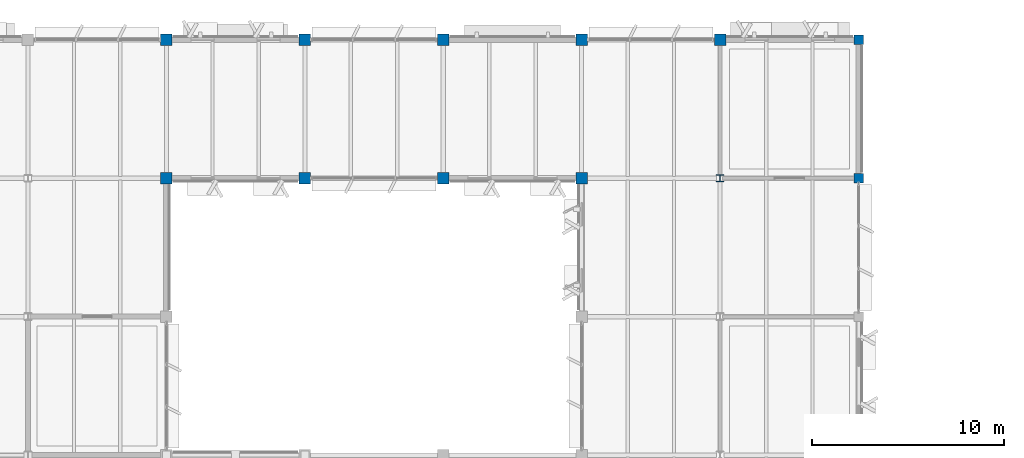
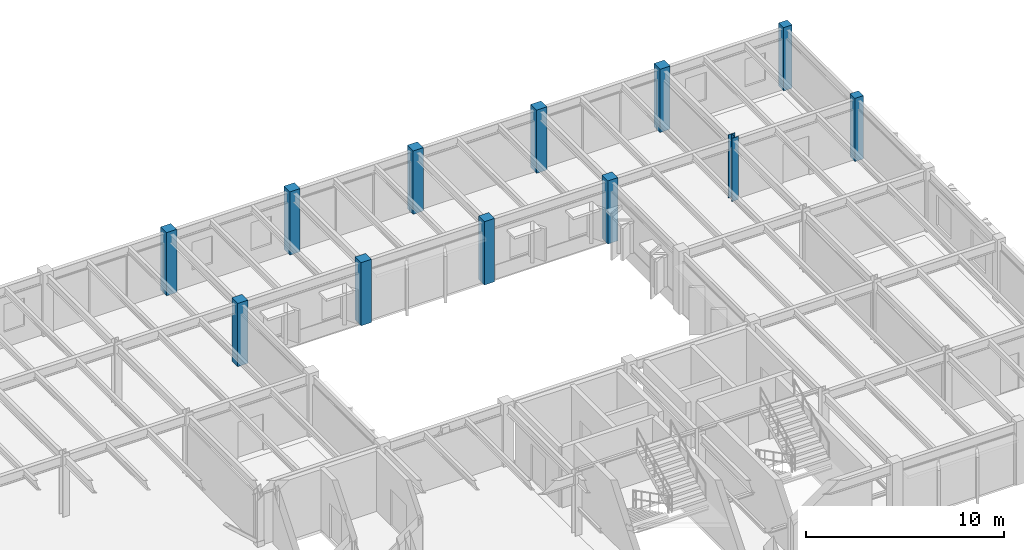
# One storey, part 12 of 82: 12 columns.
"""IFC4 building model written with IfcOpenShell, lengths in metres."""

from ifc_helpers import new_model, si_unit, direction, frame, origin, origin_2d, place, context, subcontext, project, spatial, rectangle, i_section, extrude, material, material_profile, profile_set, type_object, element, save


model = new_model("IFC4")

# Units and contexts
model_context = context("Model", 3, precision=1e-05, world=origin(), true_north=direction((0.0, 1.0)))
body_context = subcontext(model_context, "Body", "Model", "MODEL_VIEW")
ifc_project = project(units=[si_unit("LENGTHUNIT", "METRE"), si_unit("AREAUNIT", "SQUARE_METRE"), si_unit("VOLUMEUNIT", "CUBIC_METRE"), si_unit("PLANEANGLEUNIT", "RADIAN"), si_unit("MASSUNIT", "GRAM", prefix="KILO")], contexts=[model_context])

# Site, building, storey
site_placement = place(None, origin())
site = spatial("IfcSite", under=ifc_project, at=site_placement, CompositionType="ELEMENT")
building_placement = place(site_placement, origin())
building = spatial("IfcBuilding", under=site, at=building_placement, Name="Sillqori Civic Hall", CompositionType="ELEMENT")
storey_placement = place(building_placement, frame((0.0, 0.0, 14.10009765625)))
storey = spatial("IfcBuildingStorey", under=building, at=storey_placement, Name="L04", CompositionType="ELEMENT", Elevation=14.10009765625)

# Columns
ifc_material_1 = material(Name="Concrete C35/45 (H35)", Category="concrete")
ifc_material_profile_1 = material_profile(ifc_material_1, rectangle(XDim=0.5, YDim=0.5, at=origin_2d()), Name="RC 500x500")
ifc_profile_set_1 = profile_set([ifc_material_profile_1], Name="Concrete C35/45 (H35)")
column_type_1 = type_object("IfcColumnType", Name="COL-RC500", PredefinedType="COLUMN", material=ifc_profile_set_1)
for number, where, z_axis, x_axis, name in (
    (1, (108.0, 108.0, 0.0), (0.0, 0.0, 1.0), (1.0, 0.0, 0.0), "L04 column 15-15"),
    (2, (108.0, 115.199951171875, 0.0), (0.0, 0.0, 1.0), (1.0, 0.0, 0.0), "L04 column 15-16"),
):
    element("IfcColumn", number, at=place(storey_placement, frame(where, z_axis=z_axis, x_axis=x_axis)), inside=storey, type_object=column_type_1, Name=name, PredefinedType="COLUMN", context=body_context, shape_type="SweptSolid", body=[
        extrude(rectangle(XDim=0.5, YDim=0.5, at=origin_2d()), origin(), (0.0, 0.0, 1.0), 3.89990234375),
    ])
ifc_material_profile_2 = material_profile(ifc_material_1, rectangle(XDim=0.60009765625, YDim=0.60009765625, at=origin_2d()), Name="RC 600x600")
ifc_profile_set_2 = profile_set([ifc_material_profile_2], Name="Concrete C35/45 (H35)")
column_type_2 = type_object("IfcColumnType", Name="COL-RC600", PredefinedType="COLUMN", material=ifc_profile_set_2)
for number, where, z_axis, x_axis, name in (
    (3, (72.0, 108.0, 0.0), (0.0, 0.0, 1.0), (1.0, 0.0, 0.0), "L04 column 10-15"),
    (4, (72.0, 115.199951171875, 0.0), (0.0, 0.0, 1.0), (1.0, 0.0, 0.0), "L04 column 10-16"),
    (5, (79.199951171875, 108.0, 0.0), (0.0, 0.0, 1.0), (1.0, 0.0, 0.0), "L04 column 11-15"),
    (6, (79.199951171875, 115.199951171875, 0.0), (0.0, 0.0, 1.0), (1.0, 0.0, 0.0), "L04 column 11-16"),
    (7, (86.39990234375, 108.0, 0.0), (0.0, 0.0, 1.0), (1.0, 0.0, 0.0), "L04 column 12-15"),
    (8, (86.39990234375, 115.199951171875, 0.0), (0.0, 0.0, 1.0), (1.0, 0.0, 0.0), "L04 column 12-16"),
    (9, (93.60009765625, 108.0, 0.0), (0.0, 0.0, 1.0), (1.0, 0.0, 0.0), "L04 column 13-15"),
    (10, (93.60009765625, 115.199951171875, 0.0), (0.0, 0.0, 1.0), (1.0, 0.0, 0.0), "L04 column 13-16"),
    (11, (100.800048828125, 115.199951171875, 0.0), (0.0, 0.0, 1.0), (1.0, 0.0, 0.0), "L04 column 14-16"),
):
    element("IfcColumn", number, at=place(storey_placement, frame(where, z_axis=z_axis, x_axis=x_axis)), inside=storey, type_object=column_type_2, Name=name, PredefinedType="COLUMN", context=body_context, shape_type="SweptSolid", body=[
        extrude(rectangle(XDim=0.60009765625, YDim=0.60009765625, at=origin_2d()), origin(), (0.0, 0.0, 1.0), 3.89990234375),
    ])
ifc_material_2 = material(Name="Steel ASTM A992", Category="steel")
ifc_material_profile_3 = material_profile(ifc_material_2, i_section(OverallWidth=0.39404296875, OverallDepth=0.3759765625, WebThickness=0.017333984375, FlangeThickness=0.027587890625, FilletRadius=0.014892578125, at=origin_2d()), Name="W14X145")
ifc_profile_set_3 = profile_set([ifc_material_profile_3], Name="Steel ASTM A992")
column_type_3 = type_object("IfcColumnType", Name="COL-W14X145", PredefinedType="COLUMN", material=ifc_profile_set_3)
column_placement = place(storey_placement, frame((100.800048828125, 108.0, 0.0), z_axis=(0.0, 0.0, 1.0), x_axis=(1.0, 0.0, 0.0)))
element("IfcColumn", 12, at=column_placement, inside=storey, type_object=column_type_3, Name="L04 column 14-15", PredefinedType="COLUMN", context=body_context, shape_type="SweptSolid", body=[
    extrude(i_section(OverallWidth=0.39404296875, OverallDepth=0.3759765625, WebThickness=0.017333984375, FlangeThickness=0.027587890625, FilletRadius=0.014892578125, at=origin_2d()), origin(), (0.0, 0.0, 1.0), 3.89990234375),
])

save(model, "model.ifc")
